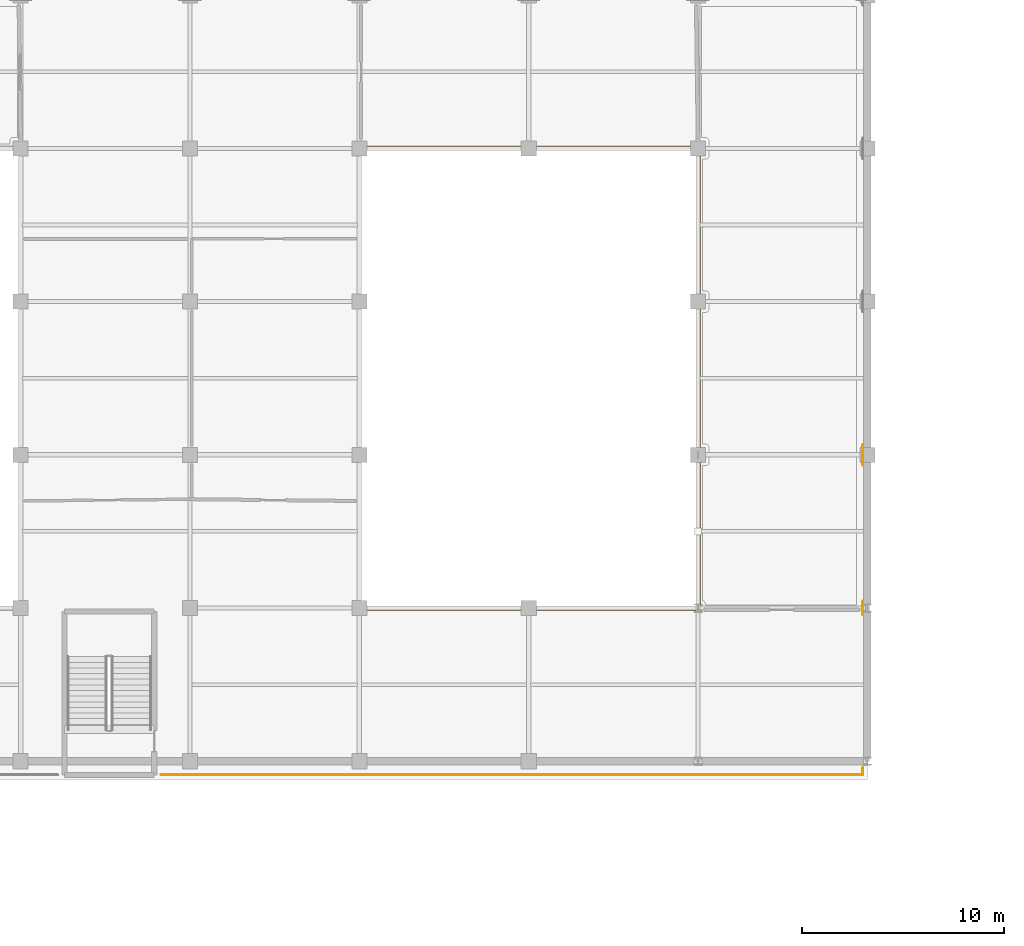
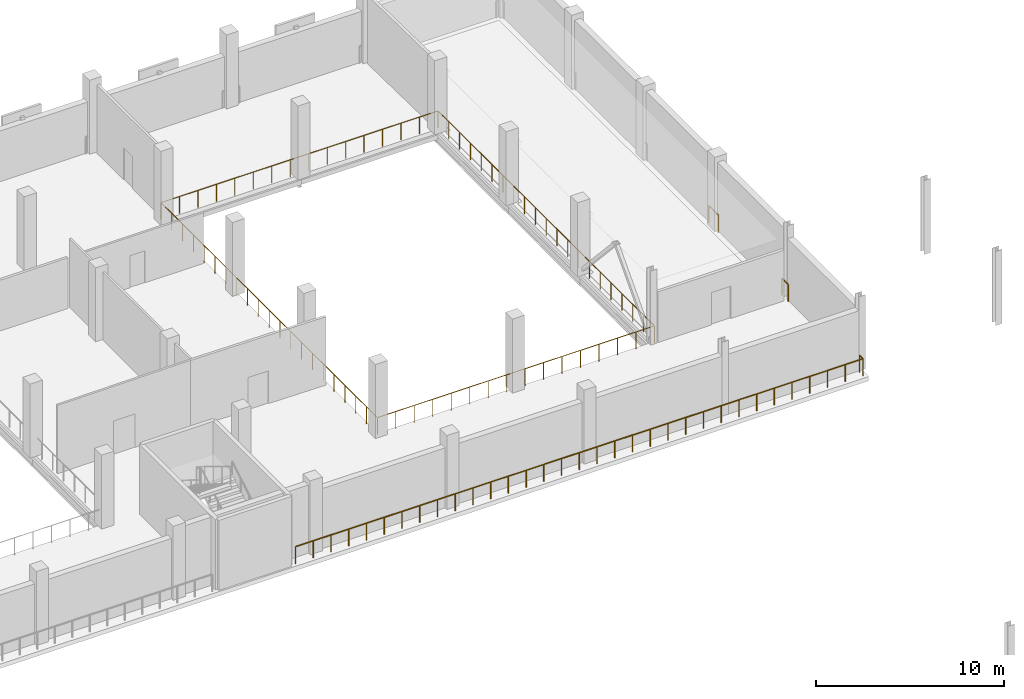
# One storey, part 47 of 51: 4 railings.
"""IFC4 building model written with IfcOpenShell, lengths in metres."""

from ifc_helpers import new_model, si_unit, direction, frame, origin, origin_2d, place, context, subcontext, project, spatial, circle, extrude, material, type_object, element, save


model = new_model("IFC4")

# Units and contexts
model_context = context("Model", 3, precision=1e-05, world=origin(), true_north=direction((0.0, 1.0)))
body_context = subcontext(model_context, "Body", "Model", "MODEL_VIEW")
ifc_project = project(units=[si_unit("LENGTHUNIT", "METRE"), si_unit("AREAUNIT", "SQUARE_METRE"), si_unit("VOLUMEUNIT", "CUBIC_METRE"), si_unit("PLANEANGLEUNIT", "RADIAN"), si_unit("MASSUNIT", "GRAM", prefix="KILO")], contexts=[model_context])

# Site, building, storey
site_placement = place(None, origin())
site = spatial("IfcSite", under=ifc_project, at=site_placement, CompositionType="ELEMENT")
building_placement = place(site_placement, origin())
building = spatial("IfcBuilding", under=site, at=building_placement, Name="Zuvorla Pavilion Media Centre", CompositionType="ELEMENT")
storey_placement = place(building_placement, frame((0.0, 0.0, 4.800048828125)))
storey = spatial("IfcBuildingStorey", under=building, at=storey_placement, Name="L01", CompositionType="ELEMENT", Elevation=4.800048828125)

# Railings
ifc_material = material(Name="Powder-coated steel balustrade guard", Category="steel")
railing_type = type_object("IfcRailingType", Name="RL-INT-GRD", PredefinedType="BALUSTRADE", material=ifc_material)
railing_1_placement = place(storey_placement, frame((108.699951171875, 89.5, 0.0)))
element("IfcRailing", 1, at=railing_1_placement, inside=storey, type_object=railing_type, Name="L01 brdbvoid edge guard", PredefinedType="BALUSTRADE", context=body_context, shape_type="SweptSolid", body=[
    extrude(circle(Radius=0.02392578125, at=origin_2d()), frame((0.02880859375, 0.0, 1.09619140625), z_axis=(1.0, 0.0, 0.0), x_axis=(0.0, 1.0, 0.0)), (0.0, 0.0, 1.0), 16.9423828125),
    extrude(circle(Radius=0.02392578125, at=origin_2d()), frame((17.0, 0.02880859375, 1.09619140625), z_axis=(0.0, 1.0, 0.0), x_axis=(-1.0, 0.0, 0.0)), (0.0, 0.0, 1.0), 22.9423828125),
    extrude(circle(Radius=0.02392578125, at=origin_2d()), frame((16.97119140625, 23.0, 1.09619140625), z_axis=(-1.0, 0.0, 0.0), x_axis=(0.0, -1.0, 0.0)), (0.0, 0.0, 1.0), 16.9423828125),
    extrude(circle(Radius=0.02392578125, at=origin_2d()), frame((0.0, 22.97119140625, 1.09619140625), z_axis=(0.0, -1.0, 0.0), x_axis=(1.0, 0.0, 0.0)), (0.0, 0.0, 1.0), 22.9423828125),
    extrude(circle(Radius=0.02099609375, at=origin_2d()), origin(), (0.0, 0.0, 1.0), 1.070068359375),
    extrude(circle(Radius=0.02099609375, at=origin_2d()), frame((1.13330078125, 0.0, 0.0)), (0.0, 0.0, 1.0), 1.070068359375),
    extrude(circle(Radius=0.02099609375, at=origin_2d()), frame((2.2666015625, 0.0, 0.0)), (0.0, 0.0, 1.0), 1.070068359375),
    extrude(circle(Radius=0.02099609375, at=origin_2d()), frame((3.39990234375, 0.0, 0.0)), (0.0, 0.0, 1.0), 1.070068359375),
    extrude(circle(Radius=0.02099609375, at=origin_2d()), frame((4.533447265625, 0.0, 0.0)), (0.0, 0.0, 1.0), 1.070068359375),
    extrude(circle(Radius=0.02099609375, at=origin_2d()), frame((5.666748046875, 0.0, 0.0)), (0.0, 0.0, 1.0), 1.070068359375),
    extrude(circle(Radius=0.02099609375, at=origin_2d()), frame((6.800048828125, 0.0, 0.0)), (0.0, 0.0, 1.0), 1.070068359375),
    extrude(circle(Radius=0.02099609375, at=origin_2d()), frame((7.933349609375, 0.0, 0.0)), (0.0, 0.0, 1.0), 1.070068359375),
    extrude(circle(Radius=0.02099609375, at=origin_2d()), frame((9.066650390625, 0.0, 0.0)), (0.0, 0.0, 1.0), 1.070068359375),
    extrude(circle(Radius=0.02099609375, at=origin_2d()), frame((10.199951171875, 0.0, 0.0)), (0.0, 0.0, 1.0), 1.070068359375),
    extrude(circle(Radius=0.02099609375, at=origin_2d()), frame((11.333251953125, 0.0, 0.0)), (0.0, 0.0, 1.0), 1.070068359375),
    extrude(circle(Radius=0.02099609375, at=origin_2d()), frame((12.466552734375, 0.0, 0.0)), (0.0, 0.0, 1.0), 1.070068359375),
    extrude(circle(Radius=0.02099609375, at=origin_2d()), frame((13.60009765625, 0.0, 0.0)), (0.0, 0.0, 1.0), 1.070068359375),
    extrude(circle(Radius=0.02099609375, at=origin_2d()), frame((14.7333984375, 0.0, 0.0)), (0.0, 0.0, 1.0), 1.070068359375),
    extrude(circle(Radius=0.02099609375, at=origin_2d()), frame((15.86669921875, 0.0, 0.0)), (0.0, 0.0, 1.0), 1.070068359375),
    extrude(circle(Radius=0.02099609375, at=origin_2d()), frame((17.0, 0.0, 0.0)), (0.0, 0.0, 1.0), 1.070068359375),
    extrude(circle(Radius=0.02099609375, at=origin_2d()), frame((17.0, 1.14990234375, 0.0)), (0.0, 0.0, 1.0), 1.070068359375),
    extrude(circle(Radius=0.02099609375, at=origin_2d()), frame((17.0, 2.300048828125, 0.0)), (0.0, 0.0, 1.0), 1.070068359375),
    extrude(circle(Radius=0.02099609375, at=origin_2d()), frame((17.0, 3.449951171875, 0.0)), (0.0, 0.0, 1.0), 1.070068359375),
    extrude(circle(Radius=0.02099609375, at=origin_2d()), frame((17.0, 4.60009765625, 0.0)), (0.0, 0.0, 1.0), 1.070068359375),
    extrude(circle(Radius=0.02099609375, at=origin_2d()), frame((17.0, 5.75, 0.0)), (0.0, 0.0, 1.0), 1.070068359375),
    extrude(circle(Radius=0.02099609375, at=origin_2d()), frame((17.0, 6.89990234375, 0.0)), (0.0, 0.0, 1.0), 1.070068359375),
    extrude(circle(Radius=0.02099609375, at=origin_2d()), frame((17.0, 8.050048828125, 0.0)), (0.0, 0.0, 1.0), 1.070068359375),
    extrude(circle(Radius=0.02099609375, at=origin_2d()), frame((17.0, 9.199951171875, 0.0)), (0.0, 0.0, 1.0), 1.070068359375),
    extrude(circle(Radius=0.02099609375, at=origin_2d()), frame((17.0, 10.35009765625, 0.0)), (0.0, 0.0, 1.0), 1.070068359375),
    extrude(circle(Radius=0.02099609375, at=origin_2d()), frame((17.0, 11.5, 0.0)), (0.0, 0.0, 1.0), 1.070068359375),
    extrude(circle(Radius=0.02099609375, at=origin_2d()), frame((17.0, 12.64990234375, 0.0)), (0.0, 0.0, 1.0), 1.070068359375),
    extrude(circle(Radius=0.02099609375, at=origin_2d()), frame((17.0, 13.800048828125, 0.0)), (0.0, 0.0, 1.0), 1.070068359375),
    extrude(circle(Radius=0.02099609375, at=origin_2d()), frame((17.0, 14.949951171875, 0.0)), (0.0, 0.0, 1.0), 1.070068359375),
    extrude(circle(Radius=0.02099609375, at=origin_2d()), frame((17.0, 16.10009765625, 0.0)), (0.0, 0.0, 1.0), 1.070068359375),
    extrude(circle(Radius=0.02099609375, at=origin_2d()), frame((17.0, 17.25, 0.0)), (0.0, 0.0, 1.0), 1.070068359375),
    extrude(circle(Radius=0.02099609375, at=origin_2d()), frame((17.0, 18.39990234375, 0.0)), (0.0, 0.0, 1.0), 1.070068359375),
    extrude(circle(Radius=0.02099609375, at=origin_2d()), frame((17.0, 19.550048828125, 0.0)), (0.0, 0.0, 1.0), 1.070068359375),
    extrude(circle(Radius=0.02099609375, at=origin_2d()), frame((17.0, 20.699951171875, 0.0)), (0.0, 0.0, 1.0), 1.070068359375),
    extrude(circle(Radius=0.02099609375, at=origin_2d()), frame((17.0, 21.85009765625, 0.0)), (0.0, 0.0, 1.0), 1.070068359375),
    extrude(circle(Radius=0.02099609375, at=origin_2d()), frame((17.0, 23.0, 0.0)), (0.0, 0.0, 1.0), 1.070068359375),
    extrude(circle(Radius=0.02099609375, at=origin_2d()), frame((15.86669921875, 23.0, 0.0)), (0.0, 0.0, 1.0), 1.070068359375),
    extrude(circle(Radius=0.02099609375, at=origin_2d()), frame((14.7333984375, 23.0, 0.0)), (0.0, 0.0, 1.0), 1.070068359375),
    extrude(circle(Radius=0.02099609375, at=origin_2d()), frame((13.60009765625, 23.0, 0.0)), (0.0, 0.0, 1.0), 1.070068359375),
    extrude(circle(Radius=0.02099609375, at=origin_2d()), frame((12.466552734375, 23.0, 0.0)), (0.0, 0.0, 1.0), 1.070068359375),
    extrude(circle(Radius=0.02099609375, at=origin_2d()), frame((11.333251953125, 23.0, 0.0)), (0.0, 0.0, 1.0), 1.070068359375),
    extrude(circle(Radius=0.02099609375, at=origin_2d()), frame((10.199951171875, 23.0, 0.0)), (0.0, 0.0, 1.0), 1.070068359375),
    extrude(circle(Radius=0.02099609375, at=origin_2d()), frame((9.066650390625, 23.0, 0.0)), (0.0, 0.0, 1.0), 1.070068359375),
    extrude(circle(Radius=0.02099609375, at=origin_2d()), frame((7.933349609375, 23.0, 0.0)), (0.0, 0.0, 1.0), 1.070068359375),
    extrude(circle(Radius=0.02099609375, at=origin_2d()), frame((6.800048828125, 23.0, 0.0)), (0.0, 0.0, 1.0), 1.070068359375),
    extrude(circle(Radius=0.02099609375, at=origin_2d()), frame((5.666748046875, 23.0, 0.0)), (0.0, 0.0, 1.0), 1.070068359375),
    extrude(circle(Radius=0.02099609375, at=origin_2d()), frame((4.533447265625, 23.0, 0.0)), (0.0, 0.0, 1.0), 1.070068359375),
    extrude(circle(Radius=0.02099609375, at=origin_2d()), frame((3.39990234375, 23.0, 0.0)), (0.0, 0.0, 1.0), 1.070068359375),
    extrude(circle(Radius=0.02099609375, at=origin_2d()), frame((2.2666015625, 23.0, 0.0)), (0.0, 0.0, 1.0), 1.070068359375),
    extrude(circle(Radius=0.02099609375, at=origin_2d()), frame((1.13330078125, 23.0, 0.0)), (0.0, 0.0, 1.0), 1.070068359375),
    extrude(circle(Radius=0.02099609375, at=origin_2d()), frame((0.0, 23.0, 0.0)), (0.0, 0.0, 1.0), 1.070068359375),
    extrude(circle(Radius=0.02099609375, at=origin_2d()), frame((0.0, 21.85009765625, 0.0)), (0.0, 0.0, 1.0), 1.070068359375),
    extrude(circle(Radius=0.02099609375, at=origin_2d()), frame((0.0, 20.699951171875, 0.0)), (0.0, 0.0, 1.0), 1.070068359375),
    extrude(circle(Radius=0.02099609375, at=origin_2d()), frame((0.0, 19.550048828125, 0.0)), (0.0, 0.0, 1.0), 1.070068359375),
    extrude(circle(Radius=0.02099609375, at=origin_2d()), frame((0.0, 18.39990234375, 0.0)), (0.0, 0.0, 1.0), 1.070068359375),
    extrude(circle(Radius=0.02099609375, at=origin_2d()), frame((0.0, 17.25, 0.0)), (0.0, 0.0, 1.0), 1.070068359375),
    extrude(circle(Radius=0.02099609375, at=origin_2d()), frame((0.0, 16.10009765625, 0.0)), (0.0, 0.0, 1.0), 1.070068359375),
    extrude(circle(Radius=0.02099609375, at=origin_2d()), frame((0.0, 14.949951171875, 0.0)), (0.0, 0.0, 1.0), 1.070068359375),
    extrude(circle(Radius=0.02099609375, at=origin_2d()), frame((0.0, 13.800048828125, 0.0)), (0.0, 0.0, 1.0), 1.070068359375),
    extrude(circle(Radius=0.02099609375, at=origin_2d()), frame((0.0, 12.64990234375, 0.0)), (0.0, 0.0, 1.0), 1.070068359375),
    extrude(circle(Radius=0.02099609375, at=origin_2d()), frame((0.0, 11.5, 0.0)), (0.0, 0.0, 1.0), 1.070068359375),
    extrude(circle(Radius=0.02099609375, at=origin_2d()), frame((0.0, 10.35009765625, 0.0)), (0.0, 0.0, 1.0), 1.070068359375),
    extrude(circle(Radius=0.02099609375, at=origin_2d()), frame((0.0, 9.199951171875, 0.0)), (0.0, 0.0, 1.0), 1.070068359375),
    extrude(circle(Radius=0.02099609375, at=origin_2d()), frame((0.0, 8.050048828125, 0.0)), (0.0, 0.0, 1.0), 1.070068359375),
    extrude(circle(Radius=0.02099609375, at=origin_2d()), frame((0.0, 6.89990234375, 0.0)), (0.0, 0.0, 1.0), 1.070068359375),
    extrude(circle(Radius=0.02099609375, at=origin_2d()), frame((0.0, 5.75, 0.0)), (0.0, 0.0, 1.0), 1.070068359375),
    extrude(circle(Radius=0.02099609375, at=origin_2d()), frame((0.0, 4.60009765625, 0.0)), (0.0, 0.0, 1.0), 1.070068359375),
    extrude(circle(Radius=0.02099609375, at=origin_2d()), frame((0.0, 3.449951171875, 0.0)), (0.0, 0.0, 1.0), 1.070068359375),
    extrude(circle(Radius=0.02099609375, at=origin_2d()), frame((0.0, 2.300048828125, 0.0)), (0.0, 0.0, 1.0), 1.070068359375),
    extrude(circle(Radius=0.02099609375, at=origin_2d()), frame((0.0, 1.14990234375, 0.0)), (0.0, 0.0, 1.0), 1.070068359375),
])
railing_2_placement = place(storey_placement, frame((133.780029296875, 97.715087890625, 0.0)))
element("IfcRailing", 2, at=railing_2_placement, inside=storey, type_object=railing_type, Name="L01 slab edge guard 42", PredefinedType="BALUSTRADE", context=body_context, shape_type="SweptSolid", body=[
    extrude(circle(Radius=0.02392578125, at=origin_2d()), frame((0.0, -0.02880859375, 1.09619140625), z_axis=(0.0, -1.0, 0.0), x_axis=(1.0, 0.0, 0.0)), (0.0, 0.0, 1.0), 0.972412109375),
    extrude(circle(Radius=0.02099609375, at=origin_2d()), origin(), (0.0, 0.0, 1.0), 1.070068359375),
    extrude(circle(Radius=0.02099609375, at=origin_2d()), frame((0.0, -1.030029296875, 0.0)), (0.0, 0.0, 1.0), 1.070068359375),
])
railing_3_placement = place(storey_placement, frame((133.780029296875, 89.936767578125, 0.0)))
element("IfcRailing", 3, at=railing_3_placement, inside=storey, type_object=railing_type, Name="L01 slab edge guard 43", PredefinedType="BALUSTRADE", context=body_context, shape_type="SweptSolid", body=[
    extrude(circle(Radius=0.02392578125, at=origin_2d()), frame((0.0, -0.02880859375, 1.09619140625), z_axis=(0.0, -1.0, 0.0), x_axis=(1.0, 0.0, 0.0)), (0.0, 0.0, 1.0), 0.615966796875),
    extrude(circle(Radius=0.02099609375, at=origin_2d()), origin(), (0.0, 0.0, 1.0), 1.070068359375),
    extrude(circle(Radius=0.02099609375, at=origin_2d()), frame((0.0, -0.673583984375, 0.0)), (0.0, 0.0, 1.0), 1.070068359375),
])
railing_4_placement = place(storey_placement, frame((133.780029296875, 81.68994140625, 0.0)))
element("IfcRailing", 4, at=railing_4_placement, inside=storey, type_object=railing_type, Name="L01 slab edge guard 44", PredefinedType="BALUSTRADE", context=body_context, shape_type="SweptSolid", body=[
    extrude(circle(Radius=0.02392578125, at=origin_2d()), frame((0.0, -0.02880859375, 1.09619140625), z_axis=(0.0, -1.0, 0.0), x_axis=(1.0, 0.0, 0.0)), (0.0, 0.0, 1.0), 0.312255859375),
    extrude(circle(Radius=0.02392578125, at=origin_2d()), frame((-0.02880859375, -0.369873046875, 1.09619140625), z_axis=(-1.0, 0.0, 0.0), x_axis=(0.0, -1.0, 0.0)), (0.0, 0.0, 1.0), 34.762451171875),
    extrude(circle(Radius=0.02099609375, at=origin_2d()), origin(), (0.0, 0.0, 1.0), 1.070068359375),
    extrude(circle(Radius=0.02099609375, at=origin_2d()), frame((0.0, -0.369873046875, 0.0)), (0.0, 0.0, 1.0), 1.070068359375),
    extrude(circle(Radius=0.02099609375, at=origin_2d()), frame((-1.088134765625, -0.369873046875, 0.0)), (0.0, 0.0, 1.0), 1.070068359375),
    extrude(circle(Radius=0.02099609375, at=origin_2d()), frame((-2.17626953125, -0.369873046875, 0.0)), (0.0, 0.0, 1.0), 1.070068359375),
    extrude(circle(Radius=0.02099609375, at=origin_2d()), frame((-3.264404296875, -0.369873046875, 0.0)), (0.0, 0.0, 1.0), 1.070068359375),
    extrude(circle(Radius=0.02099609375, at=origin_2d()), frame((-4.3525390625, -0.369873046875, 0.0)), (0.0, 0.0, 1.0), 1.070068359375),
    extrude(circle(Radius=0.02099609375, at=origin_2d()), frame((-5.440673828125, -0.369873046875, 0.0)), (0.0, 0.0, 1.0), 1.070068359375),
    extrude(circle(Radius=0.02099609375, at=origin_2d()), frame((-6.52880859375, -0.369873046875, 0.0)), (0.0, 0.0, 1.0), 1.070068359375),
    extrude(circle(Radius=0.02099609375, at=origin_2d()), frame((-7.616943359375, -0.369873046875, 0.0)), (0.0, 0.0, 1.0), 1.070068359375),
    extrude(circle(Radius=0.02099609375, at=origin_2d()), frame((-8.705078125, -0.369873046875, 0.0)), (0.0, 0.0, 1.0), 1.070068359375),
    extrude(circle(Radius=0.02099609375, at=origin_2d()), frame((-9.793212890625, -0.369873046875, 0.0)), (0.0, 0.0, 1.0), 1.070068359375),
    extrude(circle(Radius=0.02099609375, at=origin_2d()), frame((-10.88134765625, -0.369873046875, 0.0)), (0.0, 0.0, 1.0), 1.070068359375),
    extrude(circle(Radius=0.02099609375, at=origin_2d()), frame((-11.969482421875, -0.369873046875, 0.0)), (0.0, 0.0, 1.0), 1.070068359375),
    extrude(circle(Radius=0.02099609375, at=origin_2d()), frame((-13.0576171875, -0.369873046875, 0.0)), (0.0, 0.0, 1.0), 1.070068359375),
    extrude(circle(Radius=0.02099609375, at=origin_2d()), frame((-14.145751953125, -0.369873046875, 0.0)), (0.0, 0.0, 1.0), 1.070068359375),
    extrude(circle(Radius=0.02099609375, at=origin_2d()), frame((-15.23388671875, -0.369873046875, 0.0)), (0.0, 0.0, 1.0), 1.070068359375),
    extrude(circle(Radius=0.02099609375, at=origin_2d()), frame((-16.322021484375, -0.369873046875, 0.0)), (0.0, 0.0, 1.0), 1.070068359375),
    extrude(circle(Radius=0.02099609375, at=origin_2d()), frame((-17.41015625, -0.369873046875, 0.0)), (0.0, 0.0, 1.0), 1.070068359375),
    extrude(circle(Radius=0.02099609375, at=origin_2d()), frame((-18.498046875, -0.369873046875, 0.0)), (0.0, 0.0, 1.0), 1.070068359375),
    extrude(circle(Radius=0.02099609375, at=origin_2d()), frame((-19.586181640625, -0.369873046875, 0.0)), (0.0, 0.0, 1.0), 1.070068359375),
    extrude(circle(Radius=0.02099609375, at=origin_2d()), frame((-20.67431640625, -0.369873046875, 0.0)), (0.0, 0.0, 1.0), 1.070068359375),
    extrude(circle(Radius=0.02099609375, at=origin_2d()), frame((-21.762451171875, -0.369873046875, 0.0)), (0.0, 0.0, 1.0), 1.070068359375),
    extrude(circle(Radius=0.02099609375, at=origin_2d()), frame((-22.8505859375, -0.369873046875, 0.0)), (0.0, 0.0, 1.0), 1.070068359375),
    extrude(circle(Radius=0.02099609375, at=origin_2d()), frame((-23.938720703125, -0.369873046875, 0.0)), (0.0, 0.0, 1.0), 1.070068359375),
    extrude(circle(Radius=0.02099609375, at=origin_2d()), frame((-25.02685546875, -0.369873046875, 0.0)), (0.0, 0.0, 1.0), 1.070068359375),
    extrude(circle(Radius=0.02099609375, at=origin_2d()), frame((-26.114990234375, -0.369873046875, 0.0)), (0.0, 0.0, 1.0), 1.070068359375),
    extrude(circle(Radius=0.02099609375, at=origin_2d()), frame((-27.203125, -0.369873046875, 0.0)), (0.0, 0.0, 1.0), 1.070068359375),
    extrude(circle(Radius=0.02099609375, at=origin_2d()), frame((-28.291259765625, -0.369873046875, 0.0)), (0.0, 0.0, 1.0), 1.070068359375),
    extrude(circle(Radius=0.02099609375, at=origin_2d()), frame((-29.37939453125, -0.369873046875, 0.0)), (0.0, 0.0, 1.0), 1.070068359375),
    extrude(circle(Radius=0.02099609375, at=origin_2d()), frame((-30.467529296875, -0.369873046875, 0.0)), (0.0, 0.0, 1.0), 1.070068359375),
    extrude(circle(Radius=0.02099609375, at=origin_2d()), frame((-31.5556640625, -0.369873046875, 0.0)), (0.0, 0.0, 1.0), 1.070068359375),
    extrude(circle(Radius=0.02099609375, at=origin_2d()), frame((-32.643798828125, -0.369873046875, 0.0)), (0.0, 0.0, 1.0), 1.070068359375),
    extrude(circle(Radius=0.02099609375, at=origin_2d()), frame((-33.73193359375, -0.369873046875, 0.0)), (0.0, 0.0, 1.0), 1.070068359375),
    extrude(circle(Radius=0.02099609375, at=origin_2d()), frame((-34.820068359375, -0.369873046875, 0.0)), (0.0, 0.0, 1.0), 1.070068359375),
])

save(model, "model.ifc")
